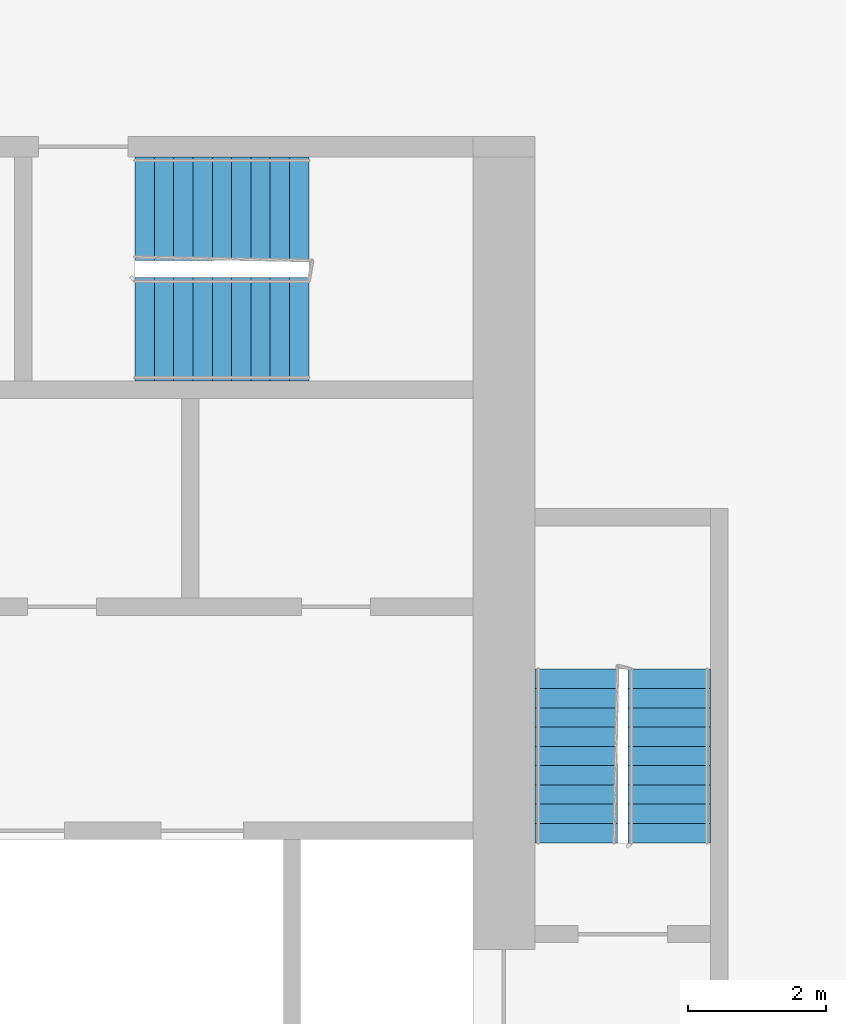
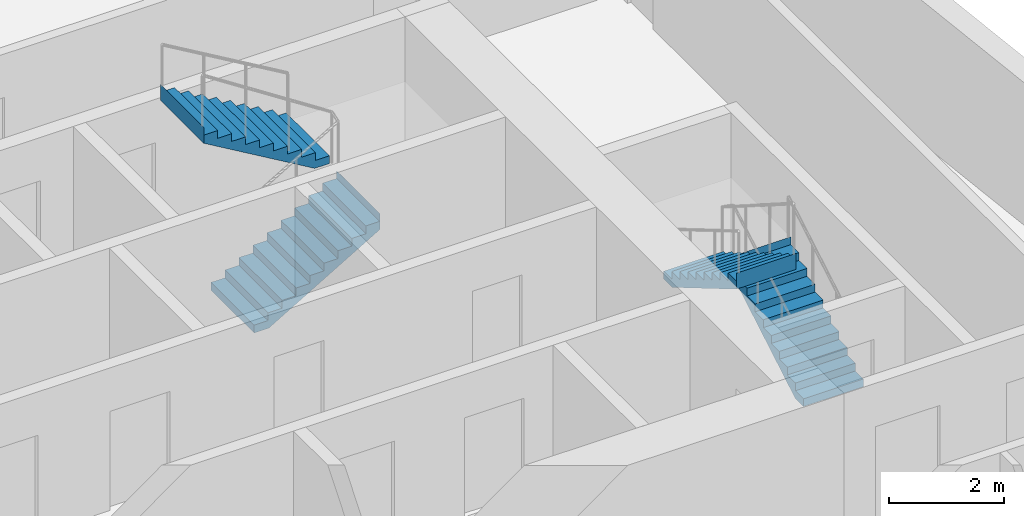
# One storey, part 11 of 12: 4 stair flights, 2 elements without a shape of their own.
"""IFC4 building model written with IfcOpenShell, lengths in metres."""

from ifc_helpers import new_model, si_unit, direction, frame, origin, place, context, subcontext, project, spatial, faceted_brep, material, type_object, element, aggregate, save


model = new_model("IFC4")

# Units and contexts
model_context = context("Model", 3, precision=1e-05, world=origin(), true_north=direction((0.0, 1.0)))
body_context = subcontext(model_context, "Body", "Model", "MODEL_VIEW")
ifc_project = project(units=[si_unit("LENGTHUNIT", "METRE"), si_unit("AREAUNIT", "SQUARE_METRE"), si_unit("VOLUMEUNIT", "CUBIC_METRE"), si_unit("PLANEANGLEUNIT", "RADIAN"), si_unit("MASSUNIT", "GRAM", prefix="KILO")], contexts=[model_context])

# Site, building, storey
site_placement = place(None, origin())
site = spatial("IfcSite", under=ifc_project, at=site_placement, CompositionType="ELEMENT")
building_placement = place(site_placement, origin())
building = spatial("IfcBuilding", under=site, at=building_placement, Name="Kajstack Hotel Tower", CompositionType="ELEMENT")
storey_placement = place(building_placement, frame((0.0, 0.0, 180.10009765625)))
storey = spatial("IfcBuildingStorey", under=building, at=storey_placement, Name="L42", CompositionType="ELEMENT", Elevation=180.10009765625)

# Stair, stair flights
ifc_material = material(Name="Concrete C40/50", Category="concrete")
stair_type_1 = type_object("IfcStairType", Name="Exit stair 1200", PredefinedType="HALF_TURN_STAIR", material=ifc_material)
stair_1_placement = place(storey_placement, origin())
stair_1 = element("IfcStair", 1, at=stair_1_placement, inside=storey, type_object=stair_type_1, Name="L42 stair E1", PredefinedType="HALF_TURN_STAIR")
stair_flight_type_1 = type_object("IfcStairFlightType", Name="Exit stair flight 1200", PredefinedType="STRAIGHT", material=ifc_material)
stair_flight_1_placement = place(storey_placement, frame((33.449951171875, 5.25, 0.0), z_axis=(0.0, 0.0, 1.0), x_axis=(0.0, 1.0, 0.0)))
stair_flight_1 = element("IfcStairFlight", 2, at=stair_flight_1_placement, type_object=stair_flight_type_1, Name="E1 flight 1", NumberOfRisers=10, NumberOfTreads=9, PredefinedType="STRAIGHT", RiserHeight=0.165, TreadLength=0.28, context=body_context, shape_type="Brep", body=[
    faceted_brep([(0.295654296875, -0.60009765625, 0.0), (2.5205078125, -0.60009765625, 1.31103515625), (2.5205078125, -0.60009765625, 1.64990234375), (2.52001953125, -0.60009765625, 1.64990234375), (2.52001953125, -0.60009765625, 1.485107421875), (2.239990234375, -0.60009765625, 1.485107421875), (2.239990234375, -0.60009765625, 1.320068359375), (1.9599609375, -0.60009765625, 1.320068359375), (1.9599609375, -0.60009765625, 1.155029296875), (1.679931640625, -0.60009765625, 1.155029296875), (1.679931640625, -0.60009765625, 0.989990234375), (1.39990234375, -0.60009765625, 0.989990234375), (1.39990234375, -0.60009765625, 0.824951171875), (1.1201171875, -0.60009765625, 0.824951171875), (1.1201171875, -0.60009765625, 0.659912109375), (0.840087890625, -0.60009765625, 0.659912109375), (0.840087890625, -0.60009765625, 0.4951171875), (0.56005859375, -0.60009765625, 0.4951171875), (0.56005859375, -0.60009765625, 0.330078125), (0.280029296875, -0.60009765625, 0.330078125), (0.280029296875, -0.60009765625, 0.1650390625), (-0.00048828125, -0.60009765625, 0.1650390625), (-0.00048828125, -0.60009765625, 0.0), (-0.00048828125, 0.60009765625, 0.0), (-0.00048828125, 0.60009765625, 0.1650390625), (0.280029296875, 0.60009765625, 0.1650390625), (0.280029296875, 0.60009765625, 0.330078125), (0.56005859375, 0.60009765625, 0.330078125), (0.56005859375, 0.60009765625, 0.4951171875), (0.840087890625, 0.60009765625, 0.4951171875), (0.840087890625, 0.60009765625, 0.659912109375), (1.1201171875, 0.60009765625, 0.659912109375), (1.1201171875, 0.60009765625, 0.824951171875), (1.39990234375, 0.60009765625, 0.824951171875), (1.39990234375, 0.60009765625, 0.989990234375), (1.679931640625, 0.60009765625, 0.989990234375), (1.679931640625, 0.60009765625, 1.155029296875), (1.9599609375, 0.60009765625, 1.155029296875), (1.9599609375, 0.60009765625, 1.320068359375), (2.239990234375, 0.60009765625, 1.320068359375), (2.239990234375, 0.60009765625, 1.485107421875), (2.52001953125, 0.60009765625, 1.485107421875), (2.52001953125, 0.60009765625, 1.64990234375), (2.5205078125, 0.60009765625, 1.64990234375), (2.5205078125, 0.60009765625, 1.31103515625), (0.295654296875, 0.60009765625, 0.0), (-0.00048828125, -0.300048828125, 0.1650390625), (-0.00048828125, 0.0, 0.1650390625), (-0.00048828125, 0.300048828125, 0.1650390625), (-0.00048828125, 0.300048828125, 0.0), (-0.00048828125, 0.0, 0.0), (-0.00048828125, -0.300048828125, 0.0), (0.280029296875, -0.300048828125, 0.1650390625), (0.280029296875, 0.0, 0.1650390625), (0.280029296875, 0.300048828125, 0.1650390625), (0.280029296875, -0.300048828125, 0.330078125), (0.280029296875, 0.0, 0.330078125), (0.280029296875, 0.300048828125, 0.330078125), (0.56005859375, -0.300048828125, 0.330078125), (0.56005859375, 0.0, 0.330078125), (0.56005859375, 0.300048828125, 0.330078125), (0.56005859375, -0.300048828125, 0.4951171875), (0.56005859375, 0.0, 0.4951171875), (0.56005859375, 0.300048828125, 0.4951171875), (0.840087890625, -0.300048828125, 0.4951171875), (0.840087890625, 0.0, 0.4951171875), (0.840087890625, 0.300048828125, 0.4951171875), (0.840087890625, -0.300048828125, 0.659912109375), (0.840087890625, 0.0, 0.659912109375), (0.840087890625, 0.300048828125, 0.659912109375), (1.1201171875, -0.300048828125, 0.659912109375), (1.1201171875, 0.0, 0.659912109375), (1.1201171875, 0.300048828125, 0.659912109375), (1.1201171875, -0.300048828125, 0.824951171875), (1.1201171875, 0.0, 0.824951171875), (1.1201171875, 0.300048828125, 0.824951171875), (1.39990234375, -0.300048828125, 0.824951171875), (1.39990234375, 0.0, 0.824951171875), (1.39990234375, 0.300048828125, 0.824951171875), (1.39990234375, -0.300048828125, 0.989990234375), (1.39990234375, 0.0, 0.989990234375), (1.39990234375, 0.300048828125, 0.989990234375), (1.679931640625, -0.300048828125, 0.989990234375), (1.679931640625, 0.0, 0.989990234375), (1.679931640625, 0.300048828125, 0.989990234375), (1.679931640625, -0.300048828125, 1.155029296875), (1.679931640625, 0.0, 1.155029296875), (1.679931640625, 0.300048828125, 1.155029296875), (1.9599609375, -0.300048828125, 1.155029296875), (1.9599609375, 0.0, 1.155029296875), (1.9599609375, 0.300048828125, 1.155029296875), (1.9599609375, -0.300048828125, 1.320068359375), (1.9599609375, 0.0, 1.320068359375), (1.9599609375, 0.300048828125, 1.320068359375), (2.239990234375, -0.300048828125, 1.320068359375), (2.239990234375, 0.0, 1.320068359375), (2.239990234375, 0.300048828125, 1.320068359375), (2.239990234375, -0.300048828125, 1.485107421875), (2.239990234375, 0.0, 1.485107421875), (2.239990234375, 0.300048828125, 1.485107421875), (2.52001953125, -0.300048828125, 1.485107421875), (2.52001953125, 0.0, 1.485107421875), (2.52001953125, 0.300048828125, 1.485107421875), (2.52001953125, -0.300048828125, 1.64990234375), (2.52001953125, 0.0, 1.64990234375), (2.52001953125, 0.300048828125, 1.64990234375), (2.5205078125, -0.300048828125, 1.64990234375), (2.5205078125, 0.0, 1.64990234375), (2.5205078125, 0.300048828125, 1.64990234375), (2.5205078125, -0.300048828125, 1.31103515625), (2.5205078125, 0.0, 1.31103515625), (2.5205078125, 0.300048828125, 1.31103515625), (0.295654296875, -0.300048828125, 0.0), (0.295654296875, 0.0, 0.0), (0.295654296875, 0.300048828125, 0.0)], [[[0, 1, 2, 3, 4, 5, 6, 7, 8, 9, 10, 11, 12, 13, 14, 15, 16, 17, 18, 19, 20, 21, 22]], [[23, 24, 25, 26, 27, 28, 29, 30, 31, 32, 33, 34, 35, 36, 37, 38, 39, 40, 41, 42, 43, 44, 45]], [[21, 46, 47, 48, 24, 23, 49, 50, 51, 22]], [[20, 52, 53, 54, 25, 24, 48, 47, 46, 21]], [[19, 55, 56, 57, 26, 25, 54, 53, 52, 20]], [[18, 58, 59, 60, 27, 26, 57, 56, 55, 19]], [[17, 61, 62, 63, 28, 27, 60, 59, 58, 18]], [[16, 64, 65, 66, 29, 28, 63, 62, 61, 17]], [[15, 67, 68, 69, 30, 29, 66, 65, 64, 16]], [[14, 70, 71, 72, 31, 30, 69, 68, 67, 15]], [[13, 73, 74, 75, 32, 31, 72, 71, 70, 14]], [[12, 76, 77, 78, 33, 32, 75, 74, 73, 13]], [[11, 79, 80, 81, 34, 33, 78, 77, 76, 12]], [[10, 82, 83, 84, 35, 34, 81, 80, 79, 11]], [[9, 85, 86, 87, 36, 35, 84, 83, 82, 10]], [[8, 88, 89, 90, 37, 36, 87, 86, 85, 9]], [[7, 91, 92, 93, 38, 37, 90, 89, 88, 8]], [[6, 94, 95, 96, 39, 38, 93, 92, 91, 7]], [[5, 97, 98, 99, 40, 39, 96, 95, 94, 6]], [[4, 100, 101, 102, 41, 40, 99, 98, 97, 5]], [[3, 103, 104, 105, 42, 41, 102, 101, 100, 4]], [[2, 106, 107, 108, 43, 42, 105, 104, 103, 3]], [[1, 109, 110, 111, 44, 43, 108, 107, 106, 2]], [[0, 112, 113, 114, 45, 44, 111, 110, 109, 1]], [[22, 51, 50, 49, 23, 45, 114, 113, 112, 0]]]),
])
stair_flight_2_placement = place(storey_placement, frame((32.10009765625, 7.77001953125, 1.64990234375), z_axis=(0.0, 0.0, 1.0), x_axis=(0.0, -1.0, 0.0)))
stair_flight_2 = element("IfcStairFlight", 3, at=stair_flight_2_placement, type_object=stair_flight_type_1, Name="E1 flight 2", NumberOfRisers=10, NumberOfTreads=9, PredefinedType="STRAIGHT", RiserHeight=0.165, TreadLength=0.28, context=body_context, shape_type="Brep", body=[
    faceted_brep([(0.295654296875, -0.60009765625, 0.0), (2.5205078125, -0.60009765625, 1.31103515625), (2.5205078125, -0.60009765625, 1.64990234375), (2.52001953125, -0.60009765625, 1.64990234375), (2.52001953125, -0.60009765625, 1.485107421875), (2.239990234375, -0.60009765625, 1.485107421875), (2.239990234375, -0.60009765625, 1.320068359375), (1.9599609375, -0.60009765625, 1.320068359375), (1.9599609375, -0.60009765625, 1.155029296875), (1.679931640625, -0.60009765625, 1.155029296875), (1.679931640625, -0.60009765625, 0.989990234375), (1.39990234375, -0.60009765625, 0.989990234375), (1.39990234375, -0.60009765625, 0.824951171875), (1.1201171875, -0.60009765625, 0.824951171875), (1.1201171875, -0.60009765625, 0.659912109375), (0.840087890625, -0.60009765625, 0.659912109375), (0.840087890625, -0.60009765625, 0.4951171875), (0.56005859375, -0.60009765625, 0.4951171875), (0.56005859375, -0.60009765625, 0.330078125), (0.280029296875, -0.60009765625, 0.330078125), (0.280029296875, -0.60009765625, 0.1650390625), (-0.00048828125, -0.60009765625, 0.1650390625), (-0.00048828125, -0.60009765625, 0.0), (-0.00048828125, 0.60009765625, 0.0), (-0.00048828125, 0.60009765625, 0.1650390625), (0.280029296875, 0.60009765625, 0.1650390625), (0.280029296875, 0.60009765625, 0.330078125), (0.56005859375, 0.60009765625, 0.330078125), (0.56005859375, 0.60009765625, 0.4951171875), (0.840087890625, 0.60009765625, 0.4951171875), (0.840087890625, 0.60009765625, 0.659912109375), (1.1201171875, 0.60009765625, 0.659912109375), (1.1201171875, 0.60009765625, 0.824951171875), (1.39990234375, 0.60009765625, 0.824951171875), (1.39990234375, 0.60009765625, 0.989990234375), (1.679931640625, 0.60009765625, 0.989990234375), (1.679931640625, 0.60009765625, 1.155029296875), (1.9599609375, 0.60009765625, 1.155029296875), (1.9599609375, 0.60009765625, 1.320068359375), (2.239990234375, 0.60009765625, 1.320068359375), (2.239990234375, 0.60009765625, 1.485107421875), (2.52001953125, 0.60009765625, 1.485107421875), (2.52001953125, 0.60009765625, 1.64990234375), (2.5205078125, 0.60009765625, 1.64990234375), (2.5205078125, 0.60009765625, 1.31103515625), (0.295654296875, 0.60009765625, 0.0), (-0.00048828125, -0.300048828125, 0.1650390625), (-0.00048828125, 0.0, 0.1650390625), (-0.00048828125, 0.300048828125, 0.1650390625), (-0.00048828125, 0.300048828125, 0.0), (-0.00048828125, 0.0, 0.0), (-0.00048828125, -0.300048828125, 0.0), (0.280029296875, -0.300048828125, 0.1650390625), (0.280029296875, 0.0, 0.1650390625), (0.280029296875, 0.300048828125, 0.1650390625), (0.280029296875, -0.300048828125, 0.330078125), (0.280029296875, 0.0, 0.330078125), (0.280029296875, 0.300048828125, 0.330078125), (0.56005859375, -0.300048828125, 0.330078125), (0.56005859375, 0.0, 0.330078125), (0.56005859375, 0.300048828125, 0.330078125), (0.56005859375, -0.300048828125, 0.4951171875), (0.56005859375, 0.0, 0.4951171875), (0.56005859375, 0.300048828125, 0.4951171875), (0.840087890625, -0.300048828125, 0.4951171875), (0.840087890625, 0.0, 0.4951171875), (0.840087890625, 0.300048828125, 0.4951171875), (0.840087890625, -0.300048828125, 0.659912109375), (0.840087890625, 0.0, 0.659912109375), (0.840087890625, 0.300048828125, 0.659912109375), (1.1201171875, -0.300048828125, 0.659912109375), (1.1201171875, 0.0, 0.659912109375), (1.1201171875, 0.300048828125, 0.659912109375), (1.1201171875, -0.300048828125, 0.824951171875), (1.1201171875, 0.0, 0.824951171875), (1.1201171875, 0.300048828125, 0.824951171875), (1.39990234375, -0.300048828125, 0.824951171875), (1.39990234375, 0.0, 0.824951171875), (1.39990234375, 0.300048828125, 0.824951171875), (1.39990234375, -0.300048828125, 0.989990234375), (1.39990234375, 0.0, 0.989990234375), (1.39990234375, 0.300048828125, 0.989990234375), (1.679931640625, -0.300048828125, 0.989990234375), (1.679931640625, 0.0, 0.989990234375), (1.679931640625, 0.300048828125, 0.989990234375), (1.679931640625, -0.300048828125, 1.155029296875), (1.679931640625, 0.0, 1.155029296875), (1.679931640625, 0.300048828125, 1.155029296875), (1.9599609375, -0.300048828125, 1.155029296875), (1.9599609375, 0.0, 1.155029296875), (1.9599609375, 0.300048828125, 1.155029296875), (1.9599609375, -0.300048828125, 1.320068359375), (1.9599609375, 0.0, 1.320068359375), (1.9599609375, 0.300048828125, 1.320068359375), (2.239990234375, -0.300048828125, 1.320068359375), (2.239990234375, 0.0, 1.320068359375), (2.239990234375, 0.300048828125, 1.320068359375), (2.239990234375, -0.300048828125, 1.485107421875), (2.239990234375, 0.0, 1.485107421875), (2.239990234375, 0.300048828125, 1.485107421875), (2.52001953125, -0.300048828125, 1.485107421875), (2.52001953125, 0.0, 1.485107421875), (2.52001953125, 0.300048828125, 1.485107421875), (2.52001953125, -0.300048828125, 1.64990234375), (2.52001953125, 0.0, 1.64990234375), (2.52001953125, 0.300048828125, 1.64990234375), (2.5205078125, -0.300048828125, 1.64990234375), (2.5205078125, 0.0, 1.64990234375), (2.5205078125, 0.300048828125, 1.64990234375), (2.5205078125, -0.300048828125, 1.31103515625), (2.5205078125, 0.0, 1.31103515625), (2.5205078125, 0.300048828125, 1.31103515625), (0.295654296875, -0.300048828125, 0.0), (0.295654296875, 0.0, 0.0), (0.295654296875, 0.300048828125, 0.0)], [[[0, 1, 2, 3, 4, 5, 6, 7, 8, 9, 10, 11, 12, 13, 14, 15, 16, 17, 18, 19, 20, 21, 22]], [[23, 24, 25, 26, 27, 28, 29, 30, 31, 32, 33, 34, 35, 36, 37, 38, 39, 40, 41, 42, 43, 44, 45]], [[21, 46, 47, 48, 24, 23, 49, 50, 51, 22]], [[20, 52, 53, 54, 25, 24, 48, 47, 46, 21]], [[19, 55, 56, 57, 26, 25, 54, 53, 52, 20]], [[18, 58, 59, 60, 27, 26, 57, 56, 55, 19]], [[17, 61, 62, 63, 28, 27, 60, 59, 58, 18]], [[16, 64, 65, 66, 29, 28, 63, 62, 61, 17]], [[15, 67, 68, 69, 30, 29, 66, 65, 64, 16]], [[14, 70, 71, 72, 31, 30, 69, 68, 67, 15]], [[13, 73, 74, 75, 32, 31, 72, 71, 70, 14]], [[12, 76, 77, 78, 33, 32, 75, 74, 73, 13]], [[11, 79, 80, 81, 34, 33, 78, 77, 76, 12]], [[10, 82, 83, 84, 35, 34, 81, 80, 79, 11]], [[9, 85, 86, 87, 36, 35, 84, 83, 82, 10]], [[8, 88, 89, 90, 37, 36, 87, 86, 85, 9]], [[7, 91, 92, 93, 38, 37, 90, 89, 88, 8]], [[6, 94, 95, 96, 39, 38, 93, 92, 91, 7]], [[5, 97, 98, 99, 40, 39, 96, 95, 94, 6]], [[4, 100, 101, 102, 41, 40, 99, 98, 97, 5]], [[3, 103, 104, 105, 42, 41, 102, 101, 100, 4]], [[2, 106, 107, 108, 43, 42, 105, 104, 103, 3]], [[1, 109, 110, 111, 44, 43, 108, 107, 106, 2]], [[0, 112, 113, 114, 45, 44, 111, 110, 109, 1]], [[22, 51, 50, 49, 23, 45, 114, 113, 112, 0]]]),
])
aggregate(stair_1, [stair_flight_1, stair_flight_2])

stair_type_2 = type_object("IfcStairType", Name="Exit stair 1500", PredefinedType="HALF_TURN_STAIR", material=ifc_material)
stair_2_placement = place(storey_placement, origin())
stair_2 = element("IfcStair", 4, at=stair_2_placement, inside=storey, type_object=stair_type_2, Name="L42 stair E3", PredefinedType="HALF_TURN_STAIR")
stair_flight_type_2 = type_object("IfcStairFlightType", Name="Exit stair flight 1500", PredefinedType="STRAIGHT", material=ifc_material)
stair_flight_3_placement = place(storey_placement, frame((25.699951171875, 12.699951171875, 0.0), z_axis=(0.0, 0.0, 1.0), x_axis=(1.0, 0.0, 0.0)))
stair_flight_3 = element("IfcStairFlight", 5, at=stair_flight_3_placement, type_object=stair_flight_type_2, Name="E3 flight 1", NumberOfRisers=10, NumberOfTreads=9, PredefinedType="STRAIGHT", RiserHeight=0.165, TreadLength=0.28, context=body_context, shape_type="Brep", body=[
    faceted_brep([(0.295654296875, -0.75, 0.0), (2.5205078125, -0.75, 1.31103515625), (2.5205078125, -0.75, 1.64990234375), (2.52001953125, -0.75, 1.64990234375), (2.52001953125, -0.75, 1.485107421875), (2.239990234375, -0.75, 1.485107421875), (2.239990234375, -0.75, 1.320068359375), (1.9599609375, -0.75, 1.320068359375), (1.9599609375, -0.75, 1.155029296875), (1.679931640625, -0.75, 1.155029296875), (1.679931640625, -0.75, 0.989990234375), (1.39990234375, -0.75, 0.989990234375), (1.39990234375, -0.75, 0.824951171875), (1.1201171875, -0.75, 0.824951171875), (1.1201171875, -0.75, 0.659912109375), (0.840087890625, -0.75, 0.659912109375), (0.840087890625, -0.75, 0.4951171875), (0.56005859375, -0.75, 0.4951171875), (0.56005859375, -0.75, 0.330078125), (0.280029296875, -0.75, 0.330078125), (0.280029296875, -0.75, 0.1650390625), (-0.00048828125, -0.75, 0.1650390625), (-0.00048828125, -0.75, 0.0), (-0.00048828125, 0.75, 0.0), (-0.00048828125, 0.75, 0.1650390625), (0.280029296875, 0.75, 0.1650390625), (0.280029296875, 0.75, 0.330078125), (0.56005859375, 0.75, 0.330078125), (0.56005859375, 0.75, 0.4951171875), (0.840087890625, 0.75, 0.4951171875), (0.840087890625, 0.75, 0.659912109375), (1.1201171875, 0.75, 0.659912109375), (1.1201171875, 0.75, 0.824951171875), (1.39990234375, 0.75, 0.824951171875), (1.39990234375, 0.75, 0.989990234375), (1.679931640625, 0.75, 0.989990234375), (1.679931640625, 0.75, 1.155029296875), (1.9599609375, 0.75, 1.155029296875), (1.9599609375, 0.75, 1.320068359375), (2.239990234375, 0.75, 1.320068359375), (2.239990234375, 0.75, 1.485107421875), (2.52001953125, 0.75, 1.485107421875), (2.52001953125, 0.75, 1.64990234375), (2.5205078125, 0.75, 1.64990234375), (2.5205078125, 0.75, 1.31103515625), (0.295654296875, 0.75, 0.0), (-0.00048828125, -0.375, 0.1650390625), (-0.00048828125, 0.0, 0.1650390625), (-0.00048828125, 0.375, 0.1650390625), (-0.00048828125, 0.375, 0.0), (-0.00048828125, 0.0, 0.0), (-0.00048828125, -0.375, 0.0), (0.280029296875, -0.375, 0.1650390625), (0.280029296875, 0.0, 0.1650390625), (0.280029296875, 0.375, 0.1650390625), (0.280029296875, -0.375, 0.330078125), (0.280029296875, 0.0, 0.330078125), (0.280029296875, 0.375, 0.330078125), (0.56005859375, -0.375, 0.330078125), (0.56005859375, 0.0, 0.330078125), (0.56005859375, 0.375, 0.330078125), (0.56005859375, -0.375, 0.4951171875), (0.56005859375, 0.0, 0.4951171875), (0.56005859375, 0.375, 0.4951171875), (0.840087890625, -0.375, 0.4951171875), (0.840087890625, 0.0, 0.4951171875), (0.840087890625, 0.375, 0.4951171875), (0.840087890625, -0.375, 0.659912109375), (0.840087890625, 0.0, 0.659912109375), (0.840087890625, 0.375, 0.659912109375), (1.1201171875, -0.375, 0.659912109375), (1.1201171875, 0.0, 0.659912109375), (1.1201171875, 0.375, 0.659912109375), (1.1201171875, -0.375, 0.824951171875), (1.1201171875, 0.0, 0.824951171875), (1.1201171875, 0.375, 0.824951171875), (1.39990234375, -0.375, 0.824951171875), (1.39990234375, 0.0, 0.824951171875), (1.39990234375, 0.375, 0.824951171875), (1.39990234375, -0.375, 0.989990234375), (1.39990234375, 0.0, 0.989990234375), (1.39990234375, 0.375, 0.989990234375), (1.679931640625, -0.375, 0.989990234375), (1.679931640625, 0.0, 0.989990234375), (1.679931640625, 0.375, 0.989990234375), (1.679931640625, -0.375, 1.155029296875), (1.679931640625, 0.0, 1.155029296875), (1.679931640625, 0.375, 1.155029296875), (1.9599609375, -0.375, 1.155029296875), (1.9599609375, 0.0, 1.155029296875), (1.9599609375, 0.375, 1.155029296875), (1.9599609375, -0.375, 1.320068359375), (1.9599609375, 0.0, 1.320068359375), (1.9599609375, 0.375, 1.320068359375), (2.239990234375, -0.375, 1.320068359375), (2.239990234375, 0.0, 1.320068359375), (2.239990234375, 0.375, 1.320068359375), (2.239990234375, -0.375, 1.485107421875), (2.239990234375, 0.0, 1.485107421875), (2.239990234375, 0.375, 1.485107421875), (2.52001953125, -0.375, 1.485107421875), (2.52001953125, 0.0, 1.485107421875), (2.52001953125, 0.375, 1.485107421875), (2.52001953125, -0.375, 1.64990234375), (2.52001953125, 0.0, 1.64990234375), (2.52001953125, 0.375, 1.64990234375), (2.5205078125, -0.375, 1.64990234375), (2.5205078125, 0.0, 1.64990234375), (2.5205078125, 0.375, 1.64990234375), (2.5205078125, -0.375, 1.31103515625), (2.5205078125, 0.0, 1.31103515625), (2.5205078125, 0.375, 1.31103515625), (0.295654296875, -0.375, 0.0), (0.295654296875, 0.0, 0.0), (0.295654296875, 0.375, 0.0)], [[[0, 1, 2, 3, 4, 5, 6, 7, 8, 9, 10, 11, 12, 13, 14, 15, 16, 17, 18, 19, 20, 21, 22]], [[23, 24, 25, 26, 27, 28, 29, 30, 31, 32, 33, 34, 35, 36, 37, 38, 39, 40, 41, 42, 43, 44, 45]], [[21, 46, 47, 48, 24, 23, 49, 50, 51, 22]], [[20, 52, 53, 54, 25, 24, 48, 47, 46, 21]], [[19, 55, 56, 57, 26, 25, 54, 53, 52, 20]], [[18, 58, 59, 60, 27, 26, 57, 56, 55, 19]], [[17, 61, 62, 63, 28, 27, 60, 59, 58, 18]], [[16, 64, 65, 66, 29, 28, 63, 62, 61, 17]], [[15, 67, 68, 69, 30, 29, 66, 65, 64, 16]], [[14, 70, 71, 72, 31, 30, 69, 68, 67, 15]], [[13, 73, 74, 75, 32, 31, 72, 71, 70, 14]], [[12, 76, 77, 78, 33, 32, 75, 74, 73, 13]], [[11, 79, 80, 81, 34, 33, 78, 77, 76, 12]], [[10, 82, 83, 84, 35, 34, 81, 80, 79, 11]], [[9, 85, 86, 87, 36, 35, 84, 83, 82, 10]], [[8, 88, 89, 90, 37, 36, 87, 86, 85, 9]], [[7, 91, 92, 93, 38, 37, 90, 89, 88, 8]], [[6, 94, 95, 96, 39, 38, 93, 92, 91, 7]], [[5, 97, 98, 99, 40, 39, 96, 95, 94, 6]], [[4, 100, 101, 102, 41, 40, 99, 98, 97, 5]], [[3, 103, 104, 105, 42, 41, 102, 101, 100, 4]], [[2, 106, 107, 108, 43, 42, 105, 104, 103, 3]], [[1, 109, 110, 111, 44, 43, 108, 107, 106, 2]], [[0, 112, 113, 114, 45, 44, 111, 110, 109, 1]], [[22, 51, 50, 49, 23, 45, 114, 113, 112, 0]]]),
])
stair_flight_4_placement = place(storey_placement, frame((28.219970703125, 14.449951171875, 1.64990234375), z_axis=(0.0, 0.0, 1.0), x_axis=(-1.0, 0.0, 0.0)))
stair_flight_4 = element("IfcStairFlight", 6, at=stair_flight_4_placement, type_object=stair_flight_type_2, Name="E3 flight 2", NumberOfRisers=10, NumberOfTreads=9, PredefinedType="STRAIGHT", RiserHeight=0.165, TreadLength=0.28, context=body_context, shape_type="Brep", body=[
    faceted_brep([(0.295654296875, -0.75, 0.0), (2.5205078125, -0.75, 1.31103515625), (2.5205078125, -0.75, 1.64990234375), (2.52001953125, -0.75, 1.64990234375), (2.52001953125, -0.75, 1.485107421875), (2.239990234375, -0.75, 1.485107421875), (2.239990234375, -0.75, 1.320068359375), (1.9599609375, -0.75, 1.320068359375), (1.9599609375, -0.75, 1.155029296875), (1.679931640625, -0.75, 1.155029296875), (1.679931640625, -0.75, 0.989990234375), (1.39990234375, -0.75, 0.989990234375), (1.39990234375, -0.75, 0.824951171875), (1.1201171875, -0.75, 0.824951171875), (1.1201171875, -0.75, 0.659912109375), (0.840087890625, -0.75, 0.659912109375), (0.840087890625, -0.75, 0.4951171875), (0.56005859375, -0.75, 0.4951171875), (0.56005859375, -0.75, 0.330078125), (0.280029296875, -0.75, 0.330078125), (0.280029296875, -0.75, 0.1650390625), (-0.00048828125, -0.75, 0.1650390625), (-0.00048828125, -0.75, 0.0), (-0.00048828125, 0.75, 0.0), (-0.00048828125, 0.75, 0.1650390625), (0.280029296875, 0.75, 0.1650390625), (0.280029296875, 0.75, 0.330078125), (0.56005859375, 0.75, 0.330078125), (0.56005859375, 0.75, 0.4951171875), (0.840087890625, 0.75, 0.4951171875), (0.840087890625, 0.75, 0.659912109375), (1.1201171875, 0.75, 0.659912109375), (1.1201171875, 0.75, 0.824951171875), (1.39990234375, 0.75, 0.824951171875), (1.39990234375, 0.75, 0.989990234375), (1.679931640625, 0.75, 0.989990234375), (1.679931640625, 0.75, 1.155029296875), (1.9599609375, 0.75, 1.155029296875), (1.9599609375, 0.75, 1.320068359375), (2.239990234375, 0.75, 1.320068359375), (2.239990234375, 0.75, 1.485107421875), (2.52001953125, 0.75, 1.485107421875), (2.52001953125, 0.75, 1.64990234375), (2.5205078125, 0.75, 1.64990234375), (2.5205078125, 0.75, 1.31103515625), (0.295654296875, 0.75, 0.0), (-0.00048828125, -0.375, 0.1650390625), (-0.00048828125, 0.0, 0.1650390625), (-0.00048828125, 0.375, 0.1650390625), (-0.00048828125, 0.375, 0.0), (-0.00048828125, 0.0, 0.0), (-0.00048828125, -0.375, 0.0), (0.280029296875, -0.375, 0.1650390625), (0.280029296875, 0.0, 0.1650390625), (0.280029296875, 0.375, 0.1650390625), (0.280029296875, -0.375, 0.330078125), (0.280029296875, 0.0, 0.330078125), (0.280029296875, 0.375, 0.330078125), (0.56005859375, -0.375, 0.330078125), (0.56005859375, 0.0, 0.330078125), (0.56005859375, 0.375, 0.330078125), (0.56005859375, -0.375, 0.4951171875), (0.56005859375, 0.0, 0.4951171875), (0.56005859375, 0.375, 0.4951171875), (0.840087890625, -0.375, 0.4951171875), (0.840087890625, 0.0, 0.4951171875), (0.840087890625, 0.375, 0.4951171875), (0.840087890625, -0.375, 0.659912109375), (0.840087890625, 0.0, 0.659912109375), (0.840087890625, 0.375, 0.659912109375), (1.1201171875, -0.375, 0.659912109375), (1.1201171875, 0.0, 0.659912109375), (1.1201171875, 0.375, 0.659912109375), (1.1201171875, -0.375, 0.824951171875), (1.1201171875, 0.0, 0.824951171875), (1.1201171875, 0.375, 0.824951171875), (1.39990234375, -0.375, 0.824951171875), (1.39990234375, 0.0, 0.824951171875), (1.39990234375, 0.375, 0.824951171875), (1.39990234375, -0.375, 0.989990234375), (1.39990234375, 0.0, 0.989990234375), (1.39990234375, 0.375, 0.989990234375), (1.679931640625, -0.375, 0.989990234375), (1.679931640625, 0.0, 0.989990234375), (1.679931640625, 0.375, 0.989990234375), (1.679931640625, -0.375, 1.155029296875), (1.679931640625, 0.0, 1.155029296875), (1.679931640625, 0.375, 1.155029296875), (1.9599609375, -0.375, 1.155029296875), (1.9599609375, 0.0, 1.155029296875), (1.9599609375, 0.375, 1.155029296875), (1.9599609375, -0.375, 1.320068359375), (1.9599609375, 0.0, 1.320068359375), (1.9599609375, 0.375, 1.320068359375), (2.239990234375, -0.375, 1.320068359375), (2.239990234375, 0.0, 1.320068359375), (2.239990234375, 0.375, 1.320068359375), (2.239990234375, -0.375, 1.485107421875), (2.239990234375, 0.0, 1.485107421875), (2.239990234375, 0.375, 1.485107421875), (2.52001953125, -0.375, 1.485107421875), (2.52001953125, 0.0, 1.485107421875), (2.52001953125, 0.375, 1.485107421875), (2.52001953125, -0.375, 1.64990234375), (2.52001953125, 0.0, 1.64990234375), (2.52001953125, 0.375, 1.64990234375), (2.5205078125, -0.375, 1.64990234375), (2.5205078125, 0.0, 1.64990234375), (2.5205078125, 0.375, 1.64990234375), (2.5205078125, -0.375, 1.31103515625), (2.5205078125, 0.0, 1.31103515625), (2.5205078125, 0.375, 1.31103515625), (0.295654296875, -0.375, 0.0), (0.295654296875, 0.0, 0.0), (0.295654296875, 0.375, 0.0)], [[[0, 1, 2, 3, 4, 5, 6, 7, 8, 9, 10, 11, 12, 13, 14, 15, 16, 17, 18, 19, 20, 21, 22]], [[23, 24, 25, 26, 27, 28, 29, 30, 31, 32, 33, 34, 35, 36, 37, 38, 39, 40, 41, 42, 43, 44, 45]], [[21, 46, 47, 48, 24, 23, 49, 50, 51, 22]], [[20, 52, 53, 54, 25, 24, 48, 47, 46, 21]], [[19, 55, 56, 57, 26, 25, 54, 53, 52, 20]], [[18, 58, 59, 60, 27, 26, 57, 56, 55, 19]], [[17, 61, 62, 63, 28, 27, 60, 59, 58, 18]], [[16, 64, 65, 66, 29, 28, 63, 62, 61, 17]], [[15, 67, 68, 69, 30, 29, 66, 65, 64, 16]], [[14, 70, 71, 72, 31, 30, 69, 68, 67, 15]], [[13, 73, 74, 75, 32, 31, 72, 71, 70, 14]], [[12, 76, 77, 78, 33, 32, 75, 74, 73, 13]], [[11, 79, 80, 81, 34, 33, 78, 77, 76, 12]], [[10, 82, 83, 84, 35, 34, 81, 80, 79, 11]], [[9, 85, 86, 87, 36, 35, 84, 83, 82, 10]], [[8, 88, 89, 90, 37, 36, 87, 86, 85, 9]], [[7, 91, 92, 93, 38, 37, 90, 89, 88, 8]], [[6, 94, 95, 96, 39, 38, 93, 92, 91, 7]], [[5, 97, 98, 99, 40, 39, 96, 95, 94, 6]], [[4, 100, 101, 102, 41, 40, 99, 98, 97, 5]], [[3, 103, 104, 105, 42, 41, 102, 101, 100, 4]], [[2, 106, 107, 108, 43, 42, 105, 104, 103, 3]], [[1, 109, 110, 111, 44, 43, 108, 107, 106, 2]], [[0, 112, 113, 114, 45, 44, 111, 110, 109, 1]], [[22, 51, 50, 49, 23, 45, 114, 113, 112, 0]]]),
])
aggregate(stair_2, [stair_flight_3, stair_flight_4])

save(model, "model.ifc")
